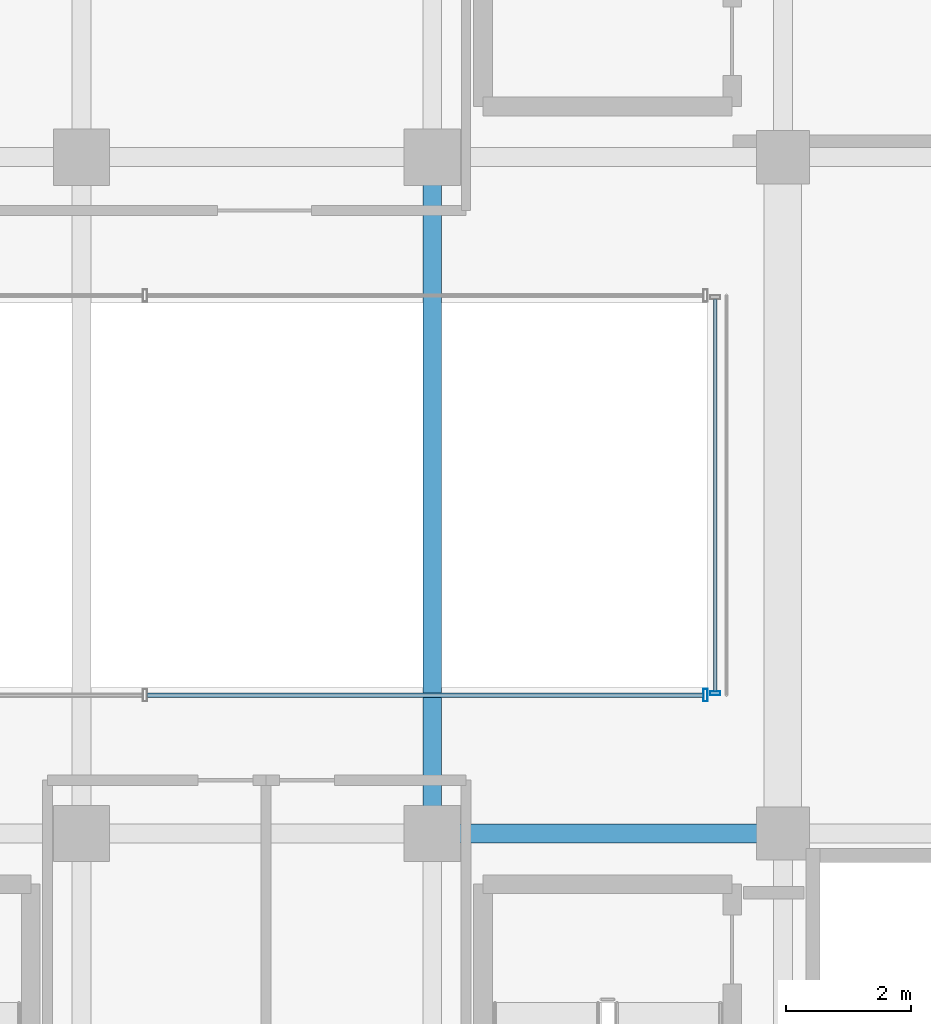
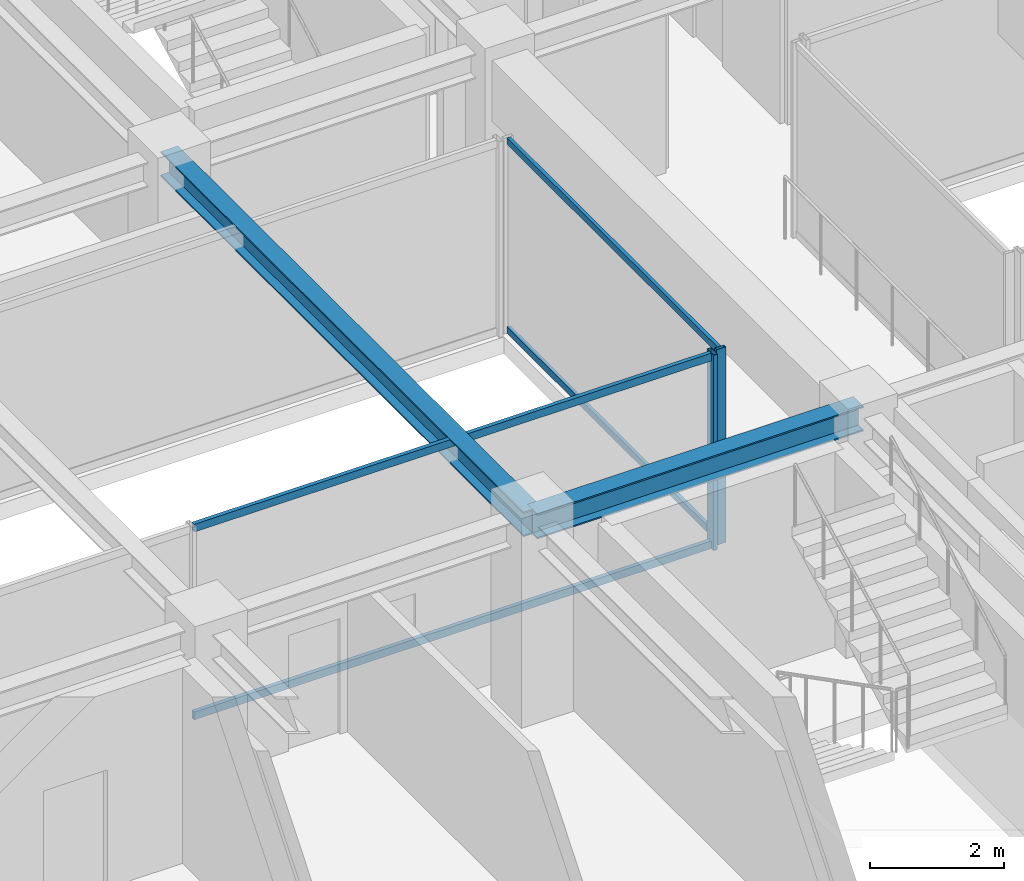
# One storey, part 14 of 39: 6 members, 2 beams, 2 elements without a shape of their own.
"""IFC4 building model written with IfcOpenShell, lengths in metres."""

from ifc_helpers import new_model, si_unit, direction, frame, origin, origin_2d, place, context, subcontext, project, spatial, hollow_rectangle, i_section, extrude, source, transform, mapped, material, material_profile, profile_set, type_object, element, aggregate, save


model = new_model("IFC4")

# Units and contexts
model_context = context("Model", 3, precision=1e-05, world=origin(), true_north=direction((0.0, 1.0)))
body_context = subcontext(model_context, "Body", "Model", "MODEL_VIEW")
ifc_project = project(units=[si_unit("LENGTHUNIT", "METRE"), si_unit("AREAUNIT", "SQUARE_METRE"), si_unit("VOLUMEUNIT", "CUBIC_METRE"), si_unit("PLANEANGLEUNIT", "RADIAN"), si_unit("MASSUNIT", "GRAM", prefix="KILO")], contexts=[model_context])

# Site, building, storey
site_placement = place(None, origin())
site = spatial("IfcSite", under=ifc_project, at=site_placement, CompositionType="ELEMENT")
building_placement = place(site_placement, origin())
building = spatial("IfcBuilding", under=site, at=building_placement, Name="Nahalor Promenade Grand Hotel", CompositionType="ELEMENT")
storey_placement = place(building_placement, frame((0.0, 0.0, 311.89990234375)))
storey = spatial("IfcBuildingStorey", under=building, at=storey_placement, Name="L80", CompositionType="ELEMENT", Elevation=311.89990234375)

# Beams
ifc_material_1 = material(Name="Steel S355JR", Category="steel")
ifc_material_profile_1 = material_profile(ifc_material_1, i_section(OverallWidth=0.3, OverallDepth=0.45, WebThickness=0.014, FlangeThickness=0.026, at=origin_2d()), Name="HEB 450")
ifc_profile_set_1 = profile_set([ifc_material_profile_1], Name="Steel S355JR")
beam_type = type_object("IfcBeamType", Name="Beam-Girder-HEB450", PredefinedType="BEAM", material=ifc_profile_set_1)
shared_shape_1 = source(origin(), body_context, "Body", "SweptSolid", [
    extrude(i_section(OverallWidth=0.3, OverallDepth=0.45, WebThickness=0.014, FlangeThickness=0.026, at=origin_2d()), origin(), (0.0, 0.0, 1.0), 5.599853515625),
])
beam_1_placement = place(storey_placement, frame((2.800048828125, -5.39990234375, 3.3251953125), z_axis=(1.0, 0.0, 0.0), x_axis=(0.0, 1.0, 0.0)))
element("IfcBeam", 1, at=beam_1_placement, inside=storey, type_object=beam_type, Name="BM-L80-GX-1-4", PredefinedType="BEAM", context=body_context, shape_type="MappedRepresentation", body=[
    mapped(shared_shape_1, transform((0.0, 0.0, 0.0), scale=1.0)),
])
shared_shape_2 = source(origin(), body_context, "Body", "SweptSolid", [
    extrude(i_section(OverallWidth=0.3, OverallDepth=0.45, WebThickness=0.014, FlangeThickness=0.026, at=origin_2d()), origin(), (0.0, 0.0, 1.0), 10.7998046875),
])
beam_2_placement = place(storey_placement, frame((2.800048828125, -5.39990234375, 3.3251953125), z_axis=(0.0, 1.0, 0.0), x_axis=(-1.0, 0.0, 0.0)))
element("IfcBeam", 2, at=beam_2_placement, inside=storey, type_object=beam_type, Name="BM-L80-GY-3-2", PredefinedType="BEAM", context=body_context, shape_type="MappedRepresentation", body=[
    mapped(shared_shape_2, transform((0.0, 0.0, 0.0), scale=1.0)),
])

# Curtain wall, members
ifc_material_2 = material(Name="Anodised Bronze Aluminium EN AW-6063 T6", Category="aluminium")
curtain_wall_type_1 = type_object("IfcCurtainWallType", Name="CW3 Elliptical-Void Collar Unitised Curtain Wall", PredefinedType="USERDEFINED", material=ifc_material_2)
curtain_wall_1_placement = place(storey_placement, origin())
curtain_wall_1 = element("IfcCurtainWall", 3, at=curtain_wall_1_placement, inside=storey, type_object=curtain_wall_type_1, Name="L80 Curtain Wall CW-L80-VOID-WS1", ObjectType="UNITISED_CURTAIN_WALL", PredefinedType="USERDEFINED")
ifc_material_profile_2 = material_profile(ifc_material_2, hollow_rectangle(XDim=0.07, YDim=0.14, WallThickness=0.004, at=origin_2d()), Name="CWT 70x140x4")
ifc_profile_set_2 = profile_set([ifc_material_profile_2], Name="Anodised Bronze Aluminium EN AW-6063 T6")
member_type_1 = type_object("IfcMemberType", Name="CWT3 Void Collar Transom 70x140", PredefinedType="USERDEFINED", material=ifc_profile_set_2)
shared_shape_3 = source(origin(), body_context, "Body", "SweptSolid", [
    extrude(hollow_rectangle(XDim=0.07, YDim=0.14, WallThickness=0.004, at=origin_2d()), origin(), (0.0, 0.0, 1.0), 8.881591796875),
])
member_1_placement = place(storey_placement, frame((-1.751708984375, -3.19091796875, 0.070068359375), z_axis=(1.0, 0.0, 0.0), x_axis=(0.0, 1.0, 0.0)))
member_1 = element("IfcMember", 4, at=member_1_placement, type_object=member_type_1, Name="CW-L80-VOID-WS1 Transom 2-0", ObjectType="TRANSOM", PredefinedType="USERDEFINED", context=body_context, shape_type="MappedRepresentation", body=[
    mapped(shared_shape_3, transform((0.0, 0.0, 0.0), scale=1.0)),
])
member_2_placement = place(storey_placement, frame((-1.751708984375, -3.19091796875, 3.47998046875), z_axis=(1.0, 0.0, 0.0), x_axis=(0.0, 1.0, 0.0)))
member_2 = element("IfcMember", 5, at=member_2_placement, type_object=member_type_1, Name="CW-L80-VOID-WS1 Transom 2-1", ObjectType="TRANSOM", PredefinedType="USERDEFINED", context=body_context, shape_type="MappedRepresentation", body=[
    mapped(shared_shape_3, transform((0.0, 0.0, 0.0), scale=1.0)),
])
ifc_material_profile_3 = material_profile(ifc_material_2, hollow_rectangle(XDim=0.07, YDim=0.2, WallThickness=0.005, at=origin_2d()), Name="CWM 70x200x5")
ifc_profile_set_3 = profile_set([ifc_material_profile_3], Name="Anodised Bronze Aluminium EN AW-6063 T6")
member_type_2 = type_object("IfcMemberType", Name="CWM3 Void Collar Mullion 70x200", PredefinedType="MULLION", material=ifc_profile_set_3)
shared_shape_4 = source(origin(), body_context, "Body", "SweptSolid", [
    extrude(hollow_rectangle(XDim=0.07, YDim=0.2, WallThickness=0.005, at=origin_2d()), origin(), (0.0, 0.0, 1.0), 3.550048828125),
])
member_3_placement = place(storey_placement, frame((7.1650390625, -3.19091796875, 0.0), z_axis=(0.0, 0.0, 1.0), x_axis=(1.0, 0.0, 0.0)))
member_3 = element("IfcMember", 6, at=member_3_placement, type_object=member_type_2, Name="CW-L80-VOID-WS1 Mullion 3", PredefinedType="MULLION", context=body_context, shape_type="MappedRepresentation", body=[
    mapped(shared_shape_4, transform((0.0, 0.0, 0.0), scale=1.0)),
])
aggregate(curtain_wall_1, [member_3, member_1, member_2])

curtain_wall_type_2 = type_object("IfcCurtainWallType", Name="CW4 Low-Iron Sky-Gallery Bridge Curtain Wall", PredefinedType="USERDEFINED", material=ifc_material_2)
curtain_wall_2_placement = place(storey_placement, origin())
curtain_wall_2 = element("IfcCurtainWall", 7, at=curtain_wall_2_placement, inside=storey, type_object=curtain_wall_type_2, Name="L80 Curtain Wall CW-L80-BRG-W", ObjectType="UNITISED_CURTAIN_WALL", PredefinedType="USERDEFINED")
ifc_material_profile_4 = material_profile(ifc_material_2, hollow_rectangle(XDim=0.06, YDim=0.16, WallThickness=0.004, at=origin_2d()), Name="CWM 60x160x4")
ifc_profile_set_4 = profile_set([ifc_material_profile_4], Name="Anodised Bronze Aluminium EN AW-6063 T6")
member_type_3 = type_object("IfcMemberType", Name="CWM4 Sky-Gallery Slim Mullion 60x160", PredefinedType="MULLION", material=ifc_profile_set_4)
shared_shape_5 = source(origin(), body_context, "Body", "SweptSolid", [
    extrude(hollow_rectangle(XDim=0.06, YDim=0.16, WallThickness=0.004, at=origin_2d()), origin(), (0.0, 0.0, 1.0), 3.550048828125),
])
member_4_placement = place(storey_placement, frame((7.320068359375, -3.160888671875, 0.0), z_axis=(0.0, 0.0, 1.0), x_axis=(0.0, 1.0, 0.0)))
member_4 = element("IfcMember", 8, at=member_4_placement, type_object=member_type_3, Name="CW-L80-BRG-W Mullion 0", PredefinedType="MULLION", context=body_context, shape_type="MappedRepresentation", body=[
    mapped(shared_shape_5, transform((0.0, 0.0, 0.0), scale=1.0)),
])
ifc_material_profile_5 = material_profile(ifc_material_2, hollow_rectangle(XDim=0.06, YDim=0.12, WallThickness=0.004, at=origin_2d()), Name="CWT 60x120x4")
ifc_profile_set_5 = profile_set([ifc_material_profile_5], Name="Anodised Bronze Aluminium EN AW-6063 T6")
member_type_4 = type_object("IfcMemberType", Name="CWT4 Sky-Gallery Slim Transom 60x120", PredefinedType="USERDEFINED", material=ifc_profile_set_5)
shared_shape_6 = source(origin(), body_context, "Body", "SweptSolid", [
    extrude(hollow_rectangle(XDim=0.06, YDim=0.12, WallThickness=0.004, at=origin_2d()), origin(), (0.0, 0.0, 1.0), 6.26220703125),
])
member_5_placement = place(storey_placement, frame((7.320068359375, -3.131103515625, 0.06005859375), z_axis=(0.0, 1.0, 0.0), x_axis=(-1.0, 0.0, 0.0)))
member_5 = element("IfcMember", 9, at=member_5_placement, type_object=member_type_4, Name="CW-L80-BRG-W Transom 0-0", ObjectType="TRANSOM", PredefinedType="USERDEFINED", context=body_context, shape_type="MappedRepresentation", body=[
    mapped(shared_shape_6, transform((0.0, 0.0, 0.0), scale=1.0)),
])
member_6_placement = place(storey_placement, frame((7.320068359375, -3.131103515625, 3.489990234375), z_axis=(0.0, 1.0, 0.0), x_axis=(-1.0, 0.0, 0.0)))
member_6 = element("IfcMember", 10, at=member_6_placement, type_object=member_type_4, Name="CW-L80-BRG-W Transom 0-1", ObjectType="TRANSOM", PredefinedType="USERDEFINED", context=body_context, shape_type="MappedRepresentation", body=[
    mapped(shared_shape_6, transform((0.0, 0.0, 0.0), scale=1.0)),
])
aggregate(curtain_wall_2, [member_4, member_5, member_6])

save(model, "model.ifc")
